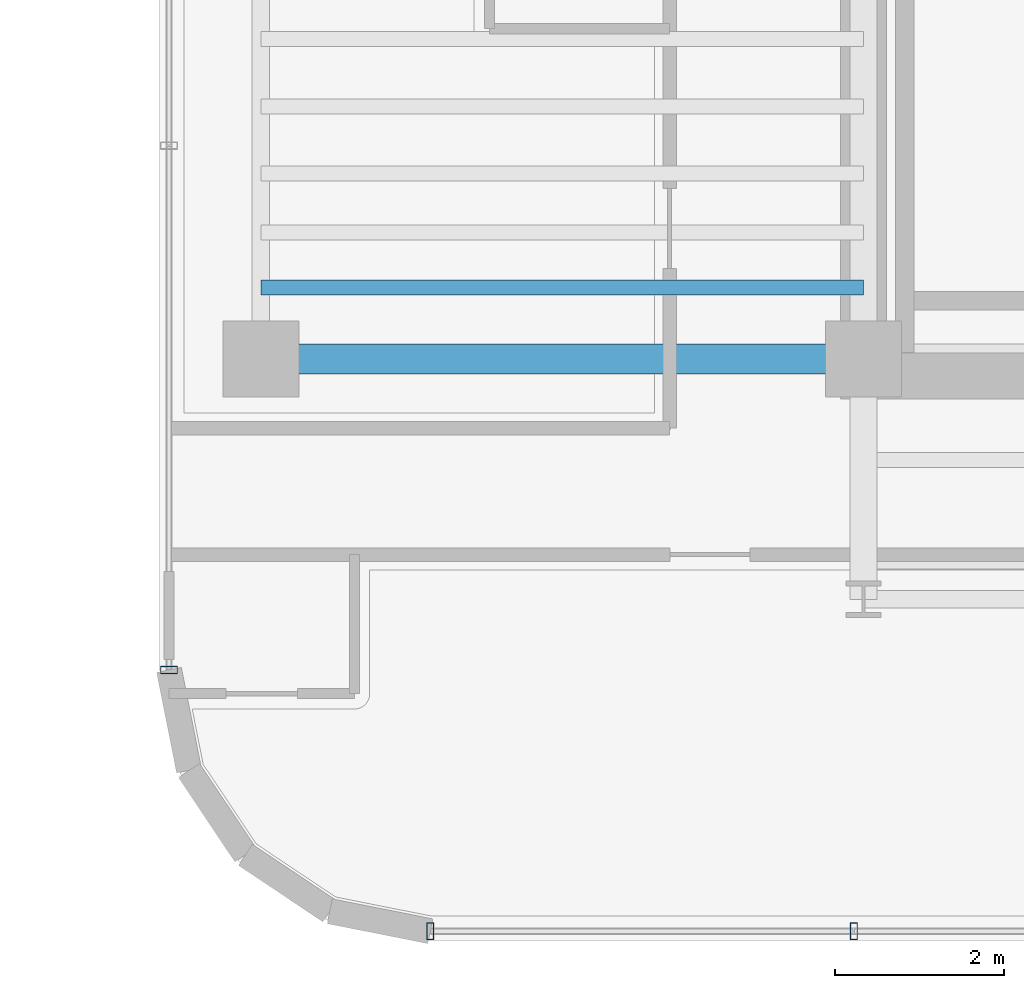
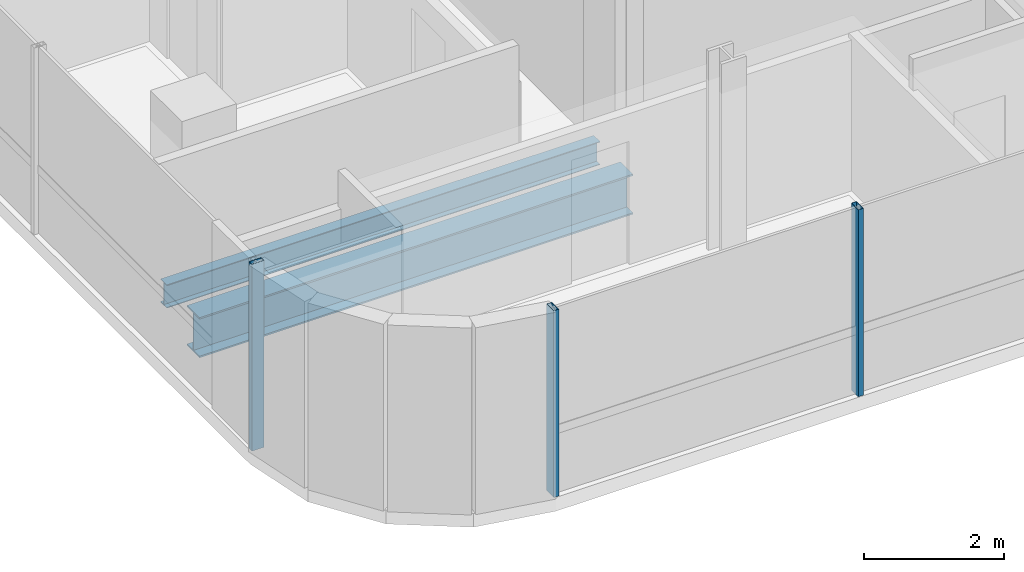
# One storey, part 2 of 23: 3 members, 2 beams, 2 elements without a shape of their own.
"""IFC4 building model written with IfcOpenShell, lengths in metres."""

from ifc_helpers import new_model, si_unit, direction, frame, origin, origin_2d, place, context, subcontext, project, spatial, hollow_rectangle, i_section, extrude, source, transform, mapped, material, material_profile, profile_set, type_object, element, aggregate, save


model = new_model("IFC4")

# Units and contexts
model_context = context("Model", 3, precision=1e-05, world=origin(), true_north=direction((0.0, 1.0)))
body_context = subcontext(model_context, "Body", "Model", "MODEL_VIEW")
ifc_project = project(units=[si_unit("LENGTHUNIT", "METRE"), si_unit("AREAUNIT", "SQUARE_METRE"), si_unit("VOLUMEUNIT", "CUBIC_METRE"), si_unit("PLANEANGLEUNIT", "RADIAN"), si_unit("MASSUNIT", "GRAM", prefix="KILO")], contexts=[model_context])

# Site, building, storey
site_placement = place(None, origin())
site = spatial("IfcSite", under=ifc_project, at=site_placement, CompositionType="ELEMENT")
building_placement = place(site_placement, origin())
building = spatial("IfcBuilding", under=site, at=building_placement, Name="Valdorenza Pilgrim Sanctuary Tower", CompositionType="ELEMENT")
storey_placement = place(building_placement, frame((0.0, 0.0, 226.5)))
storey = spatial("IfcBuildingStorey", under=building, at=storey_placement, Name="L58", CompositionType="ELEMENT", Elevation=226.5)

# Beams
ifc_material_1 = material(Name="Steel ASTM A992 Grade 50", Category="steel")
ifc_material_profile_1 = material_profile(ifc_material_1, i_section(OverallWidth=0.35595703125, OverallDepth=0.700927734375, WebThickness=0.016845703125, FlangeThickness=0.02734375, at=origin_2d()), Name="W27X161")
ifc_profile_set_1 = profile_set([ifc_material_profile_1], Name="Steel ASTM A992 Grade 50")
beam_type_1 = type_object("IfcBeamType", Name="STR-BM-GRD-W27", PredefinedType="BEAM", material=ifc_profile_set_1)
shared_shape_1 = source(origin(), body_context, "Body", "SweptSolid", [
    extrude(i_section(OverallWidth=0.35595703125, OverallDepth=0.700927734375, WebThickness=0.016845703125, FlangeThickness=0.02734375, at=origin_2d()), origin(), (0.0, 0.0, 1.0), 7.150146484375),
])
beam_1_placement = place(storey_placement, frame((-29.800048828125, -10.60009765625, -0.590576171875), z_axis=(1.0, 0.0, 0.0), x_axis=(0.0, 1.0, 0.0)))
element("IfcBeam", 1, at=beam_1_placement, inside=storey, type_object=beam_type_1, Name="L58 Floor Girder WA-XW-S1", PredefinedType="BEAM", context=body_context, shape_type="MappedRepresentation", body=[
    mapped(shared_shape_1, transform((0.0, 0.0, 0.0), x_axis=(1.0, 0.0, 0.0), y_axis=(0.0, 1.0, 0.0), z_axis=(0.0, 0.0, 1.0), scale=1.0)),
])
ifc_material_profile_2 = material_profile(ifc_material_1, i_section(OverallWidth=0.177978515625, OverallDepth=0.406005859375, WebThickness=0.0078125, FlangeThickness=0.0126953125, at=origin_2d()), Name="W16X40")
ifc_profile_set_2 = profile_set([ifc_material_profile_2], Name="Steel ASTM A992 Grade 50")
beam_type_2 = type_object("IfcBeamType", Name="STR-BM-JST-W16", PredefinedType="JOIST", material=ifc_profile_set_2)
shared_shape_2 = source(origin(), body_context, "Body", "SweptSolid", [
    extrude(i_section(OverallWidth=0.177978515625, OverallDepth=0.406005859375, WebThickness=0.0078125, FlangeThickness=0.0126953125, at=origin_2d()), origin(), (0.0, 0.0, 1.0), 7.150146484375),
])
beam_2_placement = place(storey_placement, frame((-29.800048828125, -9.75, -0.443115234375), z_axis=(1.0, 0.0, 0.0), x_axis=(0.0, 1.0, 0.0)))
element("IfcBeam", 2, at=beam_2_placement, inside=storey, type_object=beam_type_2, Name="L58 Composite Floor Joist JST-WA-1", PredefinedType="JOIST", context=body_context, shape_type="MappedRepresentation", body=[
    mapped(shared_shape_2, transform((0.0, 0.0, 0.0), x_axis=(1.0, 0.0, 0.0), y_axis=(0.0, 1.0, 0.0), z_axis=(0.0, 0.0, 1.0), scale=1.0)),
])

# Curtain wall, member
ifc_material_2 = material(Name="Curtain-wall IGU glazing", Category="glass")
curtain_wall_type = type_object("IfcCurtainWallType", Name="CW-SYS-02", PredefinedType="NOTDEFINED", material=ifc_material_2)
curtain_wall_1_placement = place(storey_placement, origin())
curtain_wall_1 = element("IfcCurtainWall", 3, at=curtain_wall_1_placement, inside=storey, type_object=curtain_wall_type, Name="L58 Curtain Wall CW-L58-1-1S1", PredefinedType="NOTDEFINED")
ifc_material_3 = material(Name="Anodised aluminium AW-6060", Category="aluminium")
ifc_material_profile_3 = material_profile(ifc_material_3, hollow_rectangle(XDim=0.0849609375, YDim=0.199951171875, WallThickness=0.0048828125, at=origin_2d()), Name="ALU-M 200x85x5")
ifc_profile_set_3 = profile_set([ifc_material_profile_3], Name="Anodised aluminium AW-6060")
member_type = type_object("IfcMemberType", Name="CW-MUL-02", PredefinedType="MULLION", material=ifc_profile_set_3)
shared_shape_3 = source(origin(), body_context, "Body", "SweptSolid", [
    extrude(hollow_rectangle(XDim=0.0849609375, YDim=0.199951171875, WallThickness=0.0048828125, at=origin_2d()), origin(), (0.0, 0.0, 1.0), 3.260009765625),
])
member_1_placement = place(storey_placement, frame((-30.889892578125, -14.289306640625, 0.0), z_axis=(0.0, 0.0, 1.0), x_axis=(0.0, 1.0, 0.0)))
member_1 = element("IfcMember", 4, at=member_1_placement, type_object=member_type, Name="CW-L58-1-1S1 Mullion 1", PredefinedType="MULLION", context=body_context, shape_type="MappedRepresentation", body=[
    mapped(shared_shape_3, transform((0.0, 0.0, 0.0), x_axis=(1.0, 0.0, 0.0), y_axis=(0.0, 1.0, 0.0), z_axis=(0.0, 0.0, 1.0), scale=1.0)),
])
aggregate(curtain_wall_1, [member_1])

# Curtain wall, members
curtain_wall_2_placement = place(storey_placement, origin())
curtain_wall_2 = element("IfcCurtainWall", 5, at=curtain_wall_2_placement, inside=storey, type_object=curtain_wall_type, Name="L58 Curtain Wall CW-L58-1-26", PredefinedType="NOTDEFINED")
member_2_placement = place(storey_placement, frame((-22.76318359375, -17.389892578125, 0.0), z_axis=(0.0, 0.0, 1.0), x_axis=(-1.0, 0.0, 0.0)))
member_2 = element("IfcMember", 6, at=member_2_placement, type_object=member_type, Name="CW-L58-1-26 Mullion 3", PredefinedType="MULLION", context=body_context, shape_type="MappedRepresentation", body=[
    mapped(shared_shape_3, transform((0.0, 0.0, 0.0), x_axis=(1.0, 0.0, 0.0), y_axis=(0.0, 1.0, 0.0), z_axis=(0.0, 0.0, 1.0), scale=1.0)),
])
member_3_placement = place(storey_placement, frame((-27.789306640625, -17.389892578125, 0.0), z_axis=(0.0, 0.0, 1.0), x_axis=(-1.0, 0.0, 0.0)))
member_3 = element("IfcMember", 7, at=member_3_placement, type_object=member_type, Name="CW-L58-1-26 Mullion 4", PredefinedType="MULLION", context=body_context, shape_type="MappedRepresentation", body=[
    mapped(shared_shape_3, transform((0.0, 0.0, 0.0), x_axis=(1.0, 0.0, 0.0), y_axis=(0.0, 1.0, 0.0), z_axis=(0.0, 0.0, 1.0), scale=1.0)),
])
aggregate(curtain_wall_2, [member_2, member_3])

save(model, "model.ifc")
